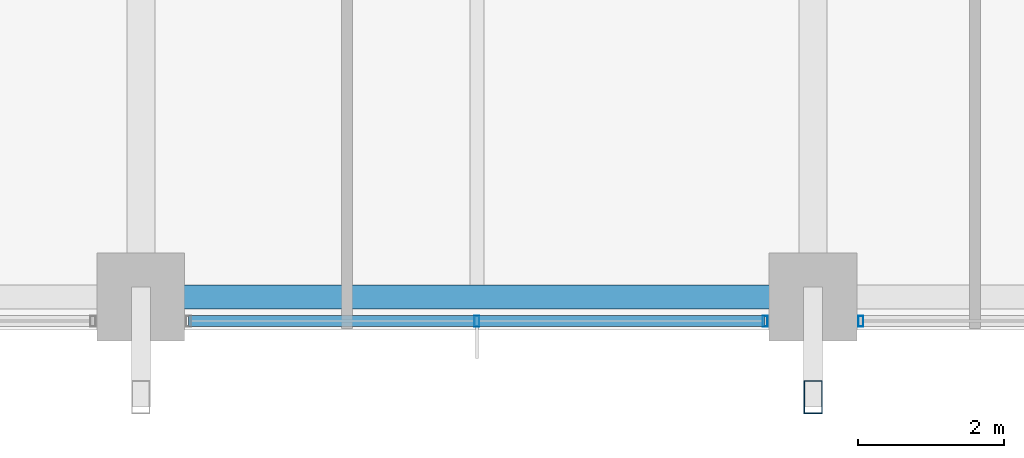
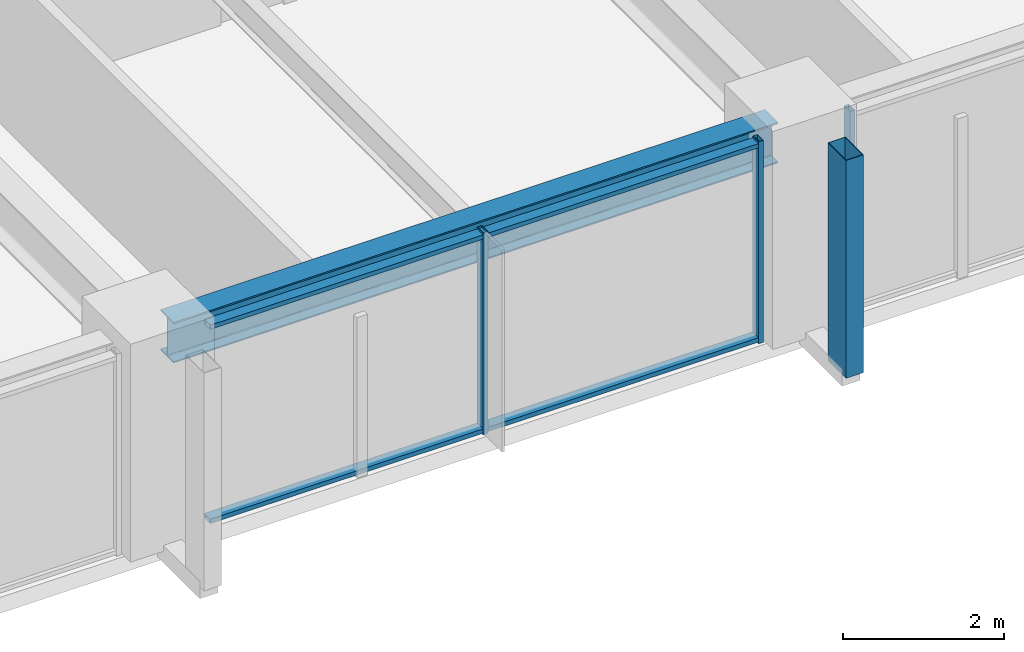
# One storey, part 6 of 36: 6 members, 1 beam, 2 elements without a shape of their own.
"""IFC4 building model written with IfcOpenShell, lengths in metres."""

from ifc_helpers import new_model, si_unit, direction, frame, origin, origin_2d, place, context, subcontext, project, spatial, hollow_rectangle, i_section, extrude, material, material_profile, profile_set, type_object, element, aggregate, save


model = new_model("IFC4")

# Units and contexts
model_context = context("Model", 3, precision=1e-05, world=origin(), true_north=direction((0.0, 1.0)))
body_context = subcontext(model_context, "Body", "Model", "MODEL_VIEW")
ifc_project = project(units=[si_unit("LENGTHUNIT", "METRE"), si_unit("AREAUNIT", "SQUARE_METRE"), si_unit("VOLUMEUNIT", "CUBIC_METRE"), si_unit("PLANEANGLEUNIT", "RADIAN"), si_unit("MASSUNIT", "GRAM", prefix="KILO")], contexts=[model_context])

# Site, building, storey
site_placement = place(None, origin())
site = spatial("IfcSite", under=ifc_project, at=site_placement, CompositionType="ELEMENT")
building_placement = place(site_placement, origin())
building = spatial("IfcBuilding", under=site, at=building_placement, Name="Kolvaren Belvedere", CompositionType="ELEMENT")
storey_placement = place(building_placement, frame((0.0, 0.0, 46.89990234375)))
storey = spatial("IfcBuildingStorey", under=building, at=storey_placement, Name="L13", CompositionType="ELEMENT", Elevation=46.89990234375)

# Beam
ifc_material_1 = material(Name="Structural steel ASTM A992 Grade 50", Category="steel")
ifc_material_profile_1 = material_profile(ifc_material_1, i_section(OverallWidth=0.324951171875, OverallDepth=0.615966796875, WebThickness=0.013916015625, FlangeThickness=0.021484375, FilletRadius=0.02001953125, at=origin_2d()), Name="W24X117")
ifc_profile_set_1 = profile_set([ifc_material_profile_1], Name="Structural steel ASTM A992 Grade 50")
beam_type = type_object("IfcBeamType", Name="BM-SPAN-W24X117", PredefinedType="SPANDREL", material=ifc_profile_set_1)
beam_placement = place(storey_placement, frame((-4.330078125, -21.550048828125, 2.752197265625), z_axis=(1.0, 0.0, 0.0), x_axis=(0.0, 1.0, 0.0)))
element("IfcBeam", 1, at=beam_placement, inside=storey, type_object=beam_type, Name="L13 Perimeter Spandrel S2-S3", PredefinedType="SPANDREL", context=body_context, shape_type="SweptSolid", body=[
    extrude(i_section(OverallWidth=0.324951171875, OverallDepth=0.615966796875, WebThickness=0.013916015625, FlangeThickness=0.021484375, FilletRadius=0.02001953125, at=origin_2d()), origin(), (0.0, 0.0, 1.0), 8.66015625),
])

# Curtain wall, member
ifc_material_2 = material(Name="Anodised pale-metal aluminium AA 6063-T6", Category="aluminium")
curtain_wall_type = type_object("IfcCurtainWallType", Name="CW-Z1-LOW", PredefinedType="NOTDEFINED", material=ifc_material_2)
curtain_wall_1_placement = place(storey_placement, origin())
curtain_wall_1 = element("IfcCurtainWall", 2, at=curtain_wall_1_placement, inside=storey, type_object=curtain_wall_type, Name="L13 Unitised Curtain Wall FCW-L13-S-B1", PredefinedType="NOTDEFINED")
ifc_material_3 = material(Name="Anodised pale-metal aluminium AA 6063-T6", Category="aluminium")
ifc_material_profile_2 = material_profile(ifc_material_3, hollow_rectangle(XDim=0.070068359375, YDim=0.14990234375, WallThickness=0.004150390625, at=origin_2d()), Name="ALU-MUL-150X70")
ifc_profile_set_2 = profile_set([ifc_material_profile_2], Name="Anodised pale-metal aluminium AA 6063-T6")
member_type_1 = type_object("IfcMemberType", Name="CW-MUL-150", PredefinedType="MULLION", material=ifc_profile_set_2)
member_1_placement = place(storey_placement, frame((5.2548828125, -21.8798828125, 0.0), z_axis=(0.0, 0.0, 1.0), x_axis=(1.0, 0.0, 0.0)))
member_1 = element("IfcMember", 3, at=member_1_placement, type_object=member_type_1, Name="FCW-L13-S-B1 Unitised Mullion 3", PredefinedType="MULLION", context=body_context, shape_type="SweptSolid", body=[
    extrude(hollow_rectangle(XDim=0.070068359375, YDim=0.14990234375, WallThickness=0.004150390625, at=origin_2d()), origin(), (0.0, 0.0, 1.0), 3.06005859375),
])
aggregate(curtain_wall_1, [member_1])

# Curtain wall, members
curtain_wall_2_placement = place(storey_placement, origin())
curtain_wall_2 = element("IfcCurtainWall", 4, at=curtain_wall_2_placement, inside=storey, type_object=curtain_wall_type, Name="L13 Unitised Curtain Wall FCW-L13-S-B2", PredefinedType="NOTDEFINED")
member_2_placement = place(storey_placement, frame((3.945068359375, -21.8798828125, 0.0), z_axis=(0.0, 0.0, 1.0), x_axis=(1.0, 0.0, 0.0)))
member_2 = element("IfcMember", 5, at=member_2_placement, type_object=member_type_1, Name="FCW-L13-S-B2 Unitised Mullion 1", PredefinedType="MULLION", context=body_context, shape_type="SweptSolid", body=[
    extrude(hollow_rectangle(XDim=0.070068359375, YDim=0.14990234375, WallThickness=0.004150390625, at=origin_2d()), origin(), (0.0, 0.0, 1.0), 3.06005859375),
])
member_3_placement = place(storey_placement, frame((0.0, -21.8798828125, 0.0), z_axis=(0.0, 0.0, 1.0), x_axis=(1.0, 0.0, 0.0)))
member_3 = element("IfcMember", 6, at=member_3_placement, type_object=member_type_1, Name="FCW-L13-S-B2 Unitised Mullion 2", PredefinedType="MULLION", context=body_context, shape_type="SweptSolid", body=[
    extrude(hollow_rectangle(XDim=0.070068359375, YDim=0.14990234375, WallThickness=0.004150390625, at=origin_2d()), origin(), (0.0, 0.0, 1.0), 3.06005859375),
])
ifc_material_4 = material(Name="Anodised pale-metal aluminium AA 6063-T6", Category="aluminium")
ifc_material_profile_3 = material_profile(ifc_material_4, hollow_rectangle(XDim=0.06494140625, YDim=0.14990234375, WallThickness=0.00390625, at=origin_2d()), Name="ALU-TRN-150X65")
ifc_profile_set_3 = profile_set([ifc_material_profile_3], Name="Anodised pale-metal aluminium AA 6063-T6")
member_type_2 = type_object("IfcMemberType", Name="CW-TRN-150", PredefinedType="USERDEFINED", material=ifc_profile_set_3)
member_4_placement = place(storey_placement, frame((3.945068359375, -21.8798828125, 0.06005859375), z_axis=(-1.0, 0.0, 0.0), x_axis=(0.0, 0.0, 1.0)))
member_4 = element("IfcMember", 7, at=member_4_placement, type_object=member_type_2, Name="FCW-L13-S-B2 Sill Transom", ObjectType="TRANSOM", PredefinedType="USERDEFINED", context=body_context, shape_type="SweptSolid", body=[
    extrude(hollow_rectangle(XDim=0.06494140625, YDim=0.14990234375, WallThickness=0.00390625, at=origin_2d()), origin(), (0.0, 0.0, 1.0), 7.89013671875),
])
member_5_placement = place(storey_placement, frame((3.945068359375, -21.8798828125, 3.0), z_axis=(-1.0, 0.0, 0.0), x_axis=(0.0, 0.0, 1.0)))
member_5 = element("IfcMember", 8, at=member_5_placement, type_object=member_type_2, Name="FCW-L13-S-B2 Head Transom", ObjectType="TRANSOM", PredefinedType="USERDEFINED", context=body_context, shape_type="SweptSolid", body=[
    extrude(hollow_rectangle(XDim=0.06494140625, YDim=0.14990234375, WallThickness=0.00390625, at=origin_2d()), origin(), (0.0, 0.0, 1.0), 7.89013671875),
])
aggregate(curtain_wall_2, [member_2, member_3, member_4, member_5])

# Member
ifc_material_5 = material(Name="Anodised pale-metal aluminium AA 6063-T6", Category="aluminium")
ifc_material_profile_4 = material_profile(ifc_material_5, hollow_rectangle(XDim=0.25, YDim=0.449951171875, WallThickness=0.008544921875, at=origin_2d()), Name="ALU-PF-450X250")
ifc_profile_set_4 = profile_set([ifc_material_profile_4], Name="Anodised pale-metal aluminium AA 6063-T6")
member_type_3 = type_object("IfcMemberType", Name="PF-FRAME-450", PredefinedType="USERDEFINED", material=ifc_profile_set_4)
member_6_placement = place(storey_placement, frame((4.60009765625, -22.919921875, 0.0), z_axis=(0.0, 0.0, 1.0), x_axis=(1.0, 0.0, 0.0)))
element("IfcMember", 9, at=member_6_placement, inside=storey, type_object=member_type_3, Name="L13 Outboard Picture-Frame Vertical S1", ObjectType="PICTURE FRAME FIN", PredefinedType="USERDEFINED", context=body_context, shape_type="SweptSolid", body=[
    extrude(hollow_rectangle(XDim=0.25, YDim=0.449951171875, WallThickness=0.008544921875, at=origin_2d()), origin(), (0.0, 0.0, 1.0), 3.300048828125),
])

save(model, "model.ifc")
